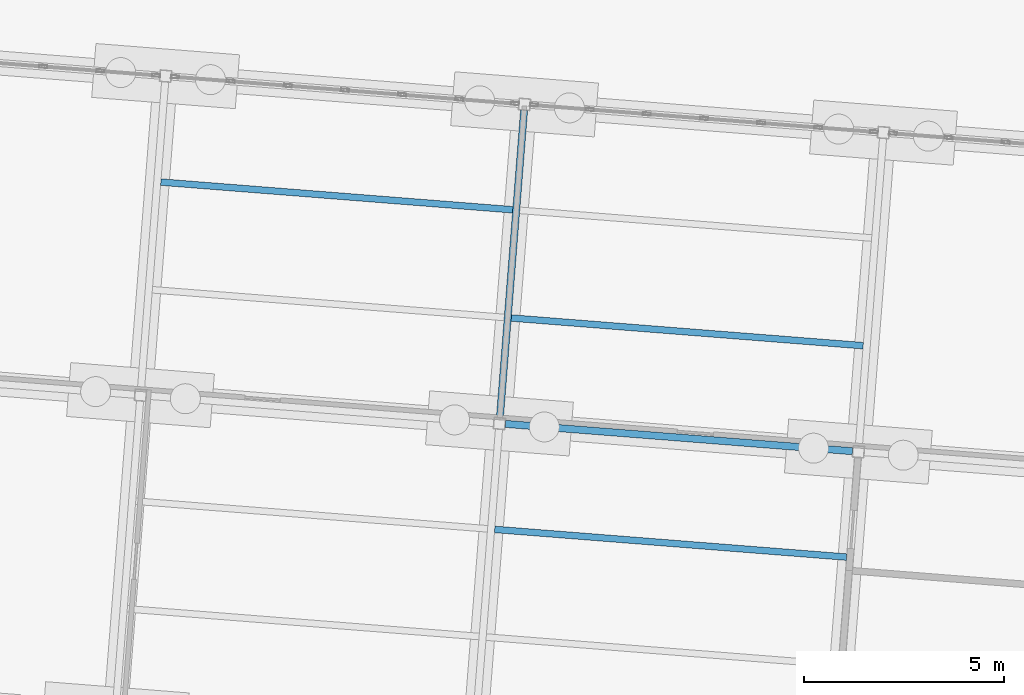
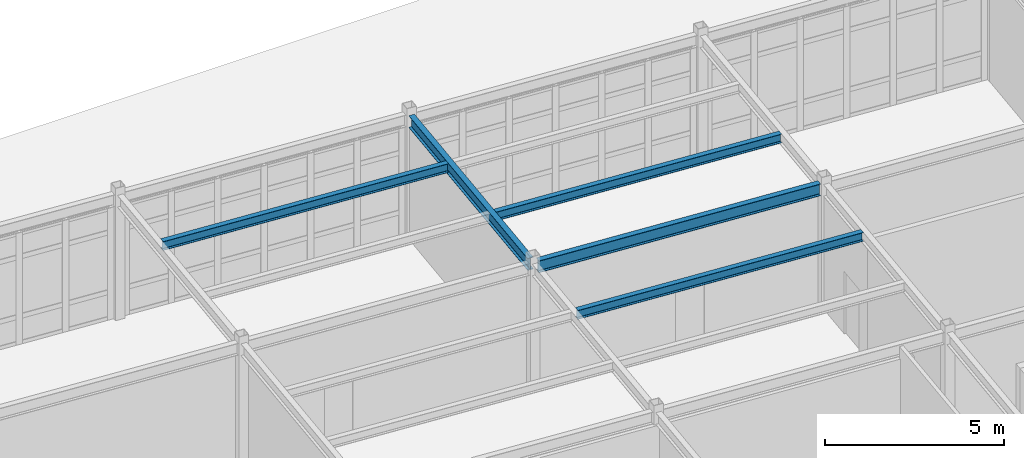
# One storey, part 79 of 154: 5 beams.
"""IFC4 building model written with IfcOpenShell, lengths in metres."""

import ifcopenshell
import ifcopenshell.guid

model = None  # the IFC model being written
_history = None  # IfcOwnerHistory: only IFC2X3 demands one
_inside = {}  # id of a spatial element -> (the spatial element, [elements in it])
_under = {}  # id of a project, library or spatial element -> (it, [spatial elements below it])
_declared = {}  # id of a project -> (the project, [libraries it declares])
_typed = {}  # id of a type object -> (the type object, [elements of that type])
_made_of = {}  # id of a material, layer set ... -> (it, [elements and type objects made of it])


def new_model(schema):
    """Start an empty IFC model of exactly this schema.

    Asked for "IFC4X3", IfcOpenShell would pick the latest addendum, in which some entities
    have other attributes; the version numbers below select the first issue.
    IFC2X3 requires an IfcOwnerHistory on every rooted entity: one is made here for all.
    """
    global model, _history
    if schema == "IFC4X3":
        model = ifcopenshell.file(schema_version=(4, 3, 0, 0))
    else:
        model = ifcopenshell.file(schema=schema)
    _inside.clear()
    _under.clear()
    _declared.clear()
    _typed.clear()
    _made_of.clear()
    _history = None
    if model.schema == "IFC2X3":
        org = make("IfcOrganization", Name="unknown")
        user = make(
            "IfcPersonAndOrganization",
            ThePerson=make("IfcPerson", FamilyName="unknown"),
            TheOrganization=org,
        )
        app = make(
            "IfcApplication",
            ApplicationDeveloper=org,
            Version="unknown",
            ApplicationFullName="unknown",
            ApplicationIdentifier="unknown",
        )
        _history = make(
            "IfcOwnerHistory",
            OwningUser=user,
            OwningApplication=app,
            ChangeAction="ADDED",
            CreationDate=0,
        )
    return model


def make(cls, **values):
    """One entity of the class cls with the attributes given. An attribute that is None is left unset."""
    return model.create_entity(
        cls, **{name: value for name, value in values.items() if value is not None}
    )


def rooted(cls, **values):
    """An entity with a GlobalId (a new one), such as an element, a storey or a relation."""
    return make(cls, GlobalId=ifcopenshell.guid.new(), OwnerHistory=_history, **values)


def si_unit(unit_type, name, prefix=None):
    """IfcSIUnit, for example si_unit("LENGTHUNIT", "METRE", prefix="MILLI")."""
    return make("IfcSIUnit", UnitType=unit_type, Prefix=prefix, Name=name)


def assignment(units):
    """IfcUnitAssignment: the units of a project."""
    return None if units is None else make("IfcUnitAssignment", Units=units)


def point(xyz):
    """IfcCartesianPoint."""
    return None if xyz is None else make("IfcCartesianPoint", Coordinates=xyz)


def direction(xyz):
    """IfcDirection."""
    return None if xyz is None else make("IfcDirection", DirectionRatios=xyz)


def frame(location, z_axis=None, x_axis=None):
    """IfcAxis2Placement3D, a coordinate frame: its origin and axes. An axis left out is left unset."""
    return make(
        "IfcAxis2Placement3D",
        Location=point(location),
        Axis=direction(z_axis),
        RefDirection=direction(x_axis),
    )


def frame_2d(location, x_axis=None):
    """IfcAxis2Placement2D, a coordinate frame in the plane: its origin and x axis."""
    return make(
        "IfcAxis2Placement2D", Location=point(location), RefDirection=direction(x_axis)
    )


def origin():
    """The frame at (0, 0, 0) with its axes left unset."""
    return frame((0.0, 0.0, 0.0))


def origin_2d():
    """The frame at (0, 0) in the plane with its x axis left unset."""
    return frame_2d((0.0, 0.0))


def place(relative_to, where):
    """IfcLocalPlacement: puts the frame where relative to a parent placement (None: the world)."""
    return make(
        "IfcLocalPlacement", PlacementRelTo=relative_to, RelativePlacement=where
    )


def context(
    kind, dimensions, precision=None, world=None, true_north=None, identifier=None
):
    """IfcGeometricRepresentationContext, for example the 3D "Model" context."""
    return make(
        "IfcGeometricRepresentationContext",
        ContextIdentifier=identifier,
        ContextType=kind,
        CoordinateSpaceDimension=dimensions,
        Precision=precision,
        WorldCoordinateSystem=world,
        TrueNorth=true_north,
    )


def subcontext(parent, identifier, kind, view, scale=None):
    """IfcGeometricRepresentationSubContext, for example "Body" below "Model"."""
    return make(
        "IfcGeometricRepresentationSubContext",
        ContextIdentifier=identifier,
        ContextType=kind,
        ParentContext=parent,
        TargetScale=scale,
        TargetView=view,
    )


def project(units=None, contexts=None):
    """IfcProject with its units and contexts."""
    return rooted(
        "IfcProject",
        Name="project",
        RepresentationContexts=contexts,
        UnitsInContext=assignment(units),
    )


def spatial(cls, under=None, at=None, **own):
    """A site, building, storey or space (cls), placed at a placement, below another one or the project."""
    s = rooted(cls, ObjectPlacement=at, **own)
    if under is not None:
        _under.setdefault(under.id(), (under, []))[1].append(s)
    return s


def profile(cls, at=None, kind="AREA", **sizes):
    """A parametric profile (cls). Its sizes go by their IFC names, for example OverallWidth=200.0."""
    return make(cls, ProfileType=kind, Position=at, **sizes)


def i_section(**sizes):
    """IfcIShapeProfileDef."""
    return profile("IfcIShapeProfileDef", **sizes)


def extrude(swept, where, along, depth):
    """IfcExtrudedAreaSolid: the profile swept, set in the frame where, extruded along a direction by depth."""
    return make(
        "IfcExtrudedAreaSolid",
        SweptArea=swept,
        Position=where,
        ExtrudedDirection=direction(along),
        Depth=depth,
    )


def shape(context_of_items, identifier, shape_type, items):
    """IfcShapeRepresentation: the items that make up one representation, for example the "Body"."""
    return make(
        "IfcShapeRepresentation",
        ContextOfItems=context_of_items,
        RepresentationIdentifier=identifier,
        RepresentationType=shape_type,
        Items=items,
    )


def material(Name=None, Category=None):
    """IfcMaterial."""
    return make("IfcMaterial", Name=Name, Category=Category)


def material_profile(
    of_material, cross_section, Name=None, Category=None, Priority=None
):
    """IfcMaterialProfile: a cross section and its material."""
    return make(
        "IfcMaterialProfile",
        Name=Name,
        Material=of_material,
        Profile=cross_section,
        Priority=Priority,
        Category=Category,
    )


def profile_set(profiles, Name=None, composite=None):
    """IfcMaterialProfileSet."""
    return make(
        "IfcMaterialProfileSet",
        Name=Name,
        MaterialProfiles=profiles,
        CompositeProfile=composite,
    )


def made_of(thing, what):
    """Note that an element or type object is made of a material, layer set ...; save() writes the relation."""
    if what is not None:
        _made_of.setdefault(what.id(), (what, []))[1].append(thing)
    return thing


def type_object(cls, material=None, **own):
    """A type object (cls), such as IfcWallType, which elements share."""
    return made_of(rooted(cls, **own), material)


def element(
    cls,
    number,
    at=None,
    inside=None,
    cuts=None,
    type_object=None,
    material=None,
    context=None,
    identifier="Body",
    shape_type=None,
    held_by="IfcProductDefinitionShape",
    body=None,
    shapes=None,
    **own,
):
    """One element of the class cls, such as IfcWall. Its Tag is "e" and its number.

    at: its placement. inside: the storey or other place that contains it. cuts: it is an
    opening in that element (IfcRelVoidsElement). A single representation is given by context,
    identifier, shape_type and body (its items); several are given by shapes. held_by: the class
    of the entity that holds the representations. save() writes the other relations.
    """
    e = rooted(cls, Tag="e%d" % number, ObjectPlacement=at, **own)
    if body is not None:
        shapes = [shape(context, identifier, shape_type, body)]
    if shapes is not None:
        e.Representation = make(held_by, Representations=shapes)
    if inside is not None:
        _inside.setdefault(inside.id(), (inside, []))[1].append(e)
    if cuts is not None:
        rooted(
            "IfcRelVoidsElement", RelatingBuildingElement=cuts, RelatedOpeningElement=e
        )
    if type_object is not None:
        _typed.setdefault(type_object.id(), (type_object, []))[1].append(e)
    return made_of(e, material)


def aggregate(whole, parts):
    """IfcRelAggregates: a whole, such as a stair, and the parts it consists of."""
    return rooted("IfcRelAggregates", RelatingObject=whole, RelatedObjects=parts)


def save(model, path):
    """Write the relations noted so far, then the file.

    IfcRelAggregates (storeys below a building ...), IfcRelContainedInSpatialStructure (elements
    in a storey), IfcRelDefinesByType, IfcRelAssociatesMaterial and IfcRelDeclares: one each for
    every whole, place, type object, material and project.
    """
    for whole, parts in _under.values():
        aggregate(whole, parts)
    for where, things in _inside.values():
        rooted(
            "IfcRelContainedInSpatialStructure",
            RelatedElements=things,
            RelatingStructure=where,
        )
    for kind, things in _typed.values():
        rooted("IfcRelDefinesByType", RelatedObjects=things, RelatingType=kind)
    for what, things in _made_of.values():
        rooted("IfcRelAssociatesMaterial", RelatedObjects=things, RelatingMaterial=what)
    for by, libraries in _declared.values():
        rooted("IfcRelDeclares", RelatingContext=by, RelatedDefinitions=libraries)
    model.write(path)


model = new_model("IFC4")

# Units and contexts
model_context = context("Model", 3, precision=1e-05, world=origin(), true_north=direction((0.0, 1.0)))
body_context = subcontext(model_context, "Body", "Model", "MODEL_VIEW")
ifc_project = project(units=[si_unit("LENGTHUNIT", "METRE"), si_unit("AREAUNIT", "SQUARE_METRE"), si_unit("VOLUMEUNIT", "CUBIC_METRE"), si_unit("PLANEANGLEUNIT", "RADIAN"), si_unit("MASSUNIT", "GRAM", prefix="KILO")], contexts=[model_context])

# Site, building, storey
site_placement = place(None, origin())
site = spatial("IfcSite", under=ifc_project, at=site_placement, CompositionType="ELEMENT")
building_placement = place(site_placement, origin())
building = spatial("IfcBuilding", under=site, at=building_placement, Name="Kestramere Prow Commons", CompositionType="ELEMENT")
storey_placement = place(building_placement, origin())
storey = spatial("IfcBuildingStorey", under=building, at=storey_placement, Name="L00", CompositionType="ELEMENT", Elevation=0.0)

# Beams
ifc_material = material(Name="Steel S355JR", Category="steel")
ifc_material_profile_1 = material_profile(ifc_material, i_section(OverallWidth=0.177978515625, OverallDepth=0.406494140625, WebThickness=0.0078125, FlangeThickness=0.0126953125, FilletRadius=0.01025390625, at=origin_2d()), Name="UB 406x178x60")
ifc_profile_set_1 = profile_set([ifc_material_profile_1], Name="Steel S355JR")
beam_type_1 = type_object("IfcBeamType", Name="BM-NR-01 UB 406x178x60", PredefinedType="BEAM", material=ifc_profile_set_1)
beam_1_placement = place(storey_placement, frame((87.949462890625, 100.026611328125, 4.046875), z_axis=(0.996917066238, -0.078462494502, 0.0), x_axis=(0.078462494502, 0.996917066238, 0.0)))
element("IfcBeam", 1, at=beam_1_placement, inside=storey, type_object=beam_type_1, Name="Nursery L00 Beam U 3-3", PredefinedType="BEAM", context=body_context, shape_type="SweptSolid", body=[
    extrude(i_section(OverallWidth=0.177978515625, OverallDepth=0.406494140625, WebThickness=0.0078125, FlangeThickness=0.0126953125, FilletRadius=0.01025390625, at=origin_2d()), origin(), (0.0, 0.0, 1.0), 8.699951171875),
])
beam_2_placement = place(storey_placement, frame((87.8115234375, 100.18798828125, 4.046875), z_axis=(0.078473620365, 0.996916190513, 0.0), x_axis=(-0.996916190513, 0.078473620365, 0.0)))
element("IfcBeam", 2, at=beam_2_placement, inside=storey, type_object=beam_type_1, Name="Nursery L00 Beam V 3-3", PredefinedType="BEAM", context=body_context, shape_type="SweptSolid", body=[
    extrude(i_section(OverallWidth=0.177978515625, OverallDepth=0.406494140625, WebThickness=0.0078125, FlangeThickness=0.0126953125, FilletRadius=0.01025390625, at=origin_2d()), origin(), (0.0, 0.0, 1.0), 7.699951171875),
])
ifc_material_profile_2 = material_profile(ifc_material, i_section(OverallWidth=0.1650390625, OverallDepth=0.303466796875, WebThickness=0.006103515625, FlangeThickness=0.01025390625, FilletRadius=0.0087890625, at=origin_2d()), Name="UB 305x165x40")
ifc_profile_set_2 = profile_set([ifc_material_profile_2], Name="Steel S355JR")
beam_type_2 = type_object("IfcBeamType", Name="JST-NR-01 UB 305x165x40", PredefinedType="JOIST", material=ifc_profile_set_2)
for number, where, z_axis, x_axis, name in (
    (3, (79.3359375, 106.071044921875, 4.098388671875), (0.996917659029, -0.07845496234, 0.0), (0.07845496234, 0.996917659029, 0.0), "Nursery L00 Secondary Joist 2-3"),
    (4, (87.6806640625, 97.3896484375, 4.098388671875), (0.996917659029, -0.07845496234, 0.0), (0.07845496234, 0.996917659029, 0.0), "Nursery L00 Secondary Joist 3-2"),
    (5, (88.096435546875, 102.67333984375, 4.098388671875), (0.996917659029, -0.07845496234, 0.0), (0.07845496234, 0.996917659029, 0.0), "Nursery L00 Secondary Joist 3-3"),
):
    element("IfcBeam", number, at=place(storey_placement, frame(where, z_axis=z_axis, x_axis=x_axis)), inside=storey, type_object=beam_type_2, Name=name, PredefinedType="JOIST", context=body_context, shape_type="SweptSolid", body=[
        extrude(i_section(OverallWidth=0.1650390625, OverallDepth=0.303466796875, WebThickness=0.006103515625, FlangeThickness=0.01025390625, FilletRadius=0.0087890625, at=origin_2d()), origin(), (0.0, 0.0, 1.0), 8.822021484375),
    ])

save(model, "model.ifc")
